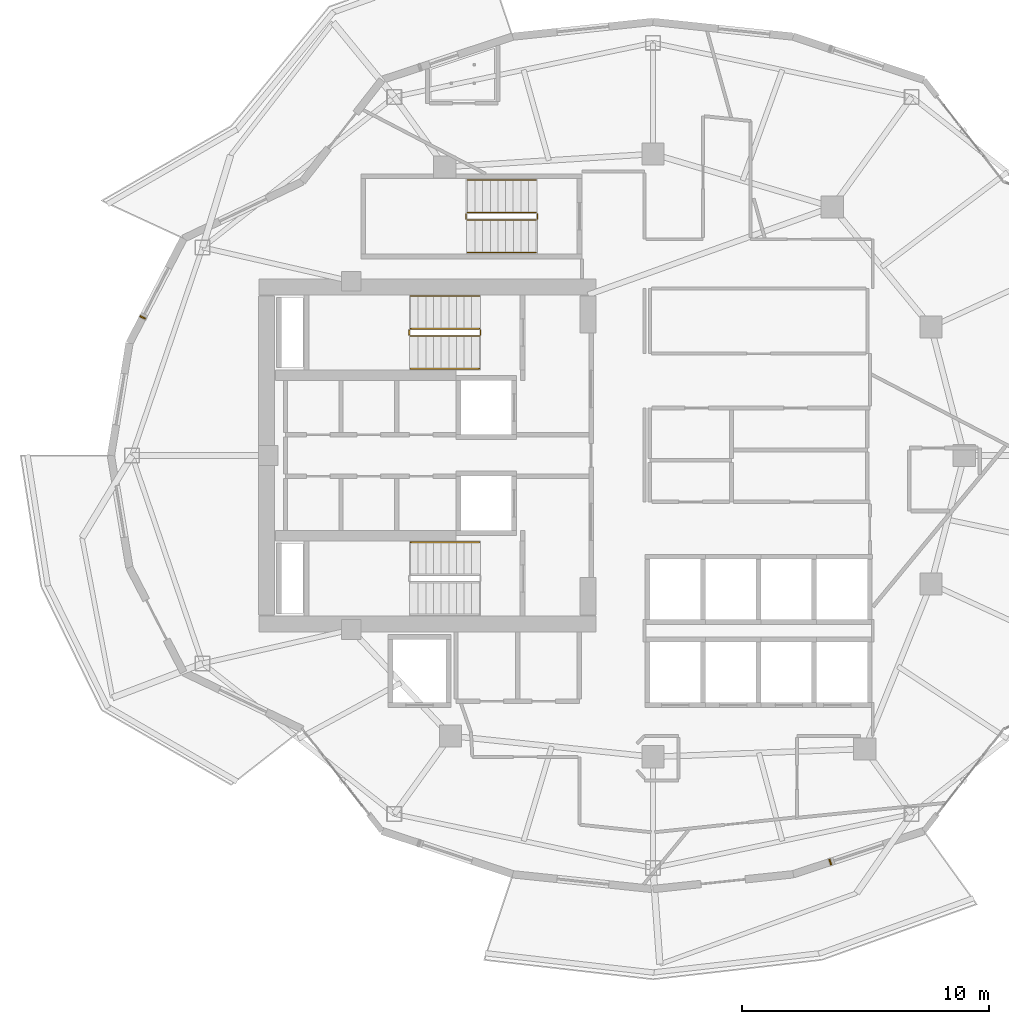
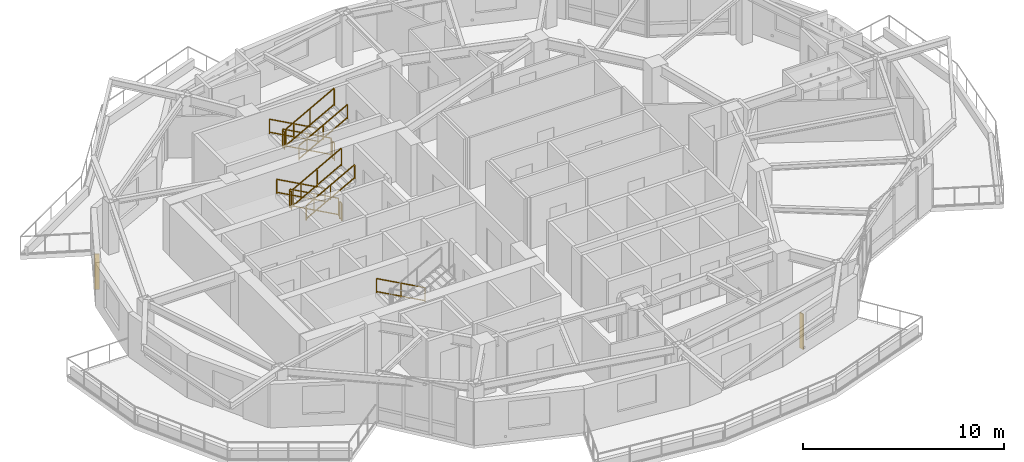
# One storey, part 17 of 19: 13 railings, 2 shading devices.
"""IFC4 building model written with IfcOpenShell, lengths in metres."""

from ifc_helpers import new_model, si_unit, direction, frame, origin, origin_2d, place, context, subcontext, project, spatial, rectangle, extrude, material, type_object, element, save


model = new_model("IFC4")

# Units and contexts
model_context = context("Model", 3, precision=1e-05, world=origin(), true_north=direction((0.0, 1.0)))
body_context = subcontext(model_context, "Body", "Model", "MODEL_VIEW")
ifc_project = project(units=[si_unit("LENGTHUNIT", "METRE"), si_unit("AREAUNIT", "SQUARE_METRE"), si_unit("VOLUMEUNIT", "CUBIC_METRE"), si_unit("PLANEANGLEUNIT", "RADIAN"), si_unit("MASSUNIT", "GRAM", prefix="KILO")], contexts=[model_context])

# Site, building, storey
site_placement = place(None, origin())
site = spatial("IfcSite", under=ifc_project, at=site_placement, CompositionType="ELEMENT")
building_placement = place(site_placement, origin())
building = spatial("IfcBuilding", under=site, at=building_placement, Name="Kolvaren Gate Tower and Convention Centre", CompositionType="ELEMENT")
storey_placement = place(building_placement, frame((0.0, 0.0, 169.89990234375)))
storey = spatial("IfcBuildingStorey", under=building, at=storey_placement, Name="L44", CompositionType="ELEMENT", Elevation=169.89990234375)

# Railings
ifc_material_1 = material(Name="Brushed Stainless Steel Grade 316L", Category="steel")
railing_type_1 = type_object("IfcRailingType", Name="ARCH-RL-GUARD-1150", PredefinedType="GUARDRAIL", material=ifc_material_1)
railing_1_placement = place(storey_placement, frame((23.10009765625, 32.1298828125, 0.170166015625)))
element("IfcRailing", 1, at=railing_1_placement, inside=storey, type_object=railing_type_1, Name="L44 ST-T1 stair guard 1", PredefinedType="GUARDRAIL", context=body_context, shape_type="SweptSolid", body=[
    extrude(rectangle(XDim=0.048095703125, YDim=0.048095703125, at=origin_2d()), frame((0.0, 0.0, 1.076171875), z_axis=(-0.876811365212, 0.0, 0.480834513982), x_axis=(0.0, -1.0, 0.0)), (0.0, 0.0, 1.0), 3.18212890625),
    extrude(rectangle(XDim=0.048095703125, YDim=0.048095703125, at=origin_2d()), frame((0.0, 0.0, 0.083984375), z_axis=(-0.876811365212, 0.0, 0.480834513982), x_axis=(0.0, -1.0, 0.0)), (0.0, 0.0, 1.0), 3.18212890625),
    extrude(rectangle(XDim=0.0419921875, YDim=0.0419921875, at=origin_2d()), origin(), (0.0, 0.0, 1.0), 1.050048828125),
    extrude(rectangle(XDim=0.0419921875, YDim=0.0419921875, at=origin_2d()), frame((-2.7900390625, 0.0, 1.530029296875)), (0.0, 0.0, 1.0), 1.050048828125),
    extrude(rectangle(XDim=0.0419921875, YDim=0.0419921875, at=origin_2d()), frame((-1.39501953125, 0.0, 0.76513671875)), (0.0, 0.0, 1.0), 1.050048828125),
])
railing_2_placement = place(storey_placement, frame((20.260009765625, 32.080078125, 1.7001953125)))
element("IfcRailing", 2, at=railing_2_placement, inside=storey, type_object=railing_type_1, Name="L44 ST-T1 stair guard 2", PredefinedType="GUARDRAIL", context=body_context, shape_type="SweptSolid", body=[
    extrude(rectangle(XDim=0.048095703125, YDim=0.048095703125, at=origin_2d()), frame((0.0, 0.0, 1.076171875), z_axis=(0.0, -1.0, 0.0), x_axis=(1.0, 0.0, 0.0)), (0.0, 0.0, 1.0), 0.2001953125),
    extrude(rectangle(XDim=0.048095703125, YDim=0.048095703125, at=origin_2d()), frame((0.0, 0.0, 0.083984375), z_axis=(0.0, -1.0, 0.0), x_axis=(1.0, 0.0, 0.0)), (0.0, 0.0, 1.0), 0.2001953125),
    extrude(rectangle(XDim=0.0419921875, YDim=0.0419921875, at=origin_2d()), origin(), (0.0, 0.0, 1.0), 1.050048828125),
    extrude(rectangle(XDim=0.0419921875, YDim=0.0419921875, at=origin_2d()), frame((0.0, -0.2001953125, 0.0)), (0.0, 0.0, 1.0), 1.050048828125),
])
railing_3_placement = place(storey_placement, frame((20.31005859375, 31.830078125, 1.8701171875)))
element("IfcRailing", 3, at=railing_3_placement, inside=storey, type_object=railing_type_1, Name="L44 ST-T1 stair guard 3", PredefinedType="GUARDRAIL", context=body_context, shape_type="SweptSolid", body=[
    extrude(rectangle(XDim=0.048095703125, YDim=0.048095703125, at=origin_2d()), frame((0.0, 0.0, 1.076171875), z_axis=(0.876811365212, 0.0, 0.480834513982), x_axis=(0.0, 1.0, 0.0)), (0.0, 0.0, 1.0), 3.18212890625),
    extrude(rectangle(XDim=0.048095703125, YDim=0.048095703125, at=origin_2d()), frame((0.0, 0.0, 0.083984375), z_axis=(0.876811365212, 0.0, 0.480834513982), x_axis=(0.0, 1.0, 0.0)), (0.0, 0.0, 1.0), 3.18212890625),
    extrude(rectangle(XDim=0.0419921875, YDim=0.0419921875, at=origin_2d()), origin(), (0.0, 0.0, 1.0), 1.050048828125),
    extrude(rectangle(XDim=0.0419921875, YDim=0.0419921875, at=origin_2d()), frame((2.7900390625, 0.0, 1.530029296875)), (0.0, 0.0, 1.0), 1.050048828125),
    extrude(rectangle(XDim=0.0419921875, YDim=0.0419921875, at=origin_2d()), frame((1.39501953125, 0.0, 0.76513671875)), (0.0, 0.0, 1.0), 1.050048828125),
])
railing_4_placement = place(storey_placement, frame((23.14990234375, 32.080078125, 0.0)))
element("IfcRailing", 4, at=railing_4_placement, inside=storey, type_object=railing_type_1, Name="L44 ST-T1 stair guard 4", PredefinedType="GUARDRAIL", context=body_context, shape_type="SweptSolid", body=[
    extrude(rectangle(XDim=0.048095703125, YDim=0.048095703125, at=origin_2d()), frame((0.0, 0.0, 1.076171875), z_axis=(0.0, -1.0, 0.0), x_axis=(1.0, 0.0, 0.0)), (0.0, 0.0, 1.0), 0.2001953125),
    extrude(rectangle(XDim=0.048095703125, YDim=0.048095703125, at=origin_2d()), frame((0.0, 0.0, 0.083984375), z_axis=(0.0, -1.0, 0.0), x_axis=(1.0, 0.0, 0.0)), (0.0, 0.0, 1.0), 0.2001953125),
    extrude(rectangle(XDim=0.0419921875, YDim=0.0419921875, at=origin_2d()), origin(), (0.0, 0.0, 1.0), 1.050048828125),
    extrude(rectangle(XDim=0.0419921875, YDim=0.0419921875, at=origin_2d()), frame((0.0, -0.2001953125, 0.0)), (0.0, 0.0, 1.0), 1.050048828125),
])
railing_5_placement = place(storey_placement, frame((25.39990234375, 36.830078125, 0.170166015625)))
element("IfcRailing", 5, at=railing_5_placement, inside=storey, type_object=railing_type_1, Name="L44 ST-T3 stair guard 1", PredefinedType="GUARDRAIL", context=body_context, shape_type="SweptSolid", body=[
    extrude(rectangle(XDim=0.048095703125, YDim=0.048095703125, at=origin_2d()), frame((0.0, 0.0, 1.076171875), z_axis=(-0.8767936245, 0.0, 0.480866863109), x_axis=(0.0, -1.0, 0.0)), (0.0, 0.0, 1.0), 3.181884765625),
    extrude(rectangle(XDim=0.048095703125, YDim=0.048095703125, at=origin_2d()), frame((0.0, 0.0, 0.083984375), z_axis=(-0.8767936245, 0.0, 0.480866863109), x_axis=(0.0, -1.0, 0.0)), (0.0, 0.0, 1.0), 3.181884765625),
    extrude(rectangle(XDim=0.0419921875, YDim=0.0419921875, at=origin_2d()), origin(), (0.0, 0.0, 1.0), 1.050048828125),
    extrude(rectangle(XDim=0.0419921875, YDim=0.0419921875, at=origin_2d()), frame((-2.789794921875, 0.0, 1.530029296875)), (0.0, 0.0, 1.0), 1.050048828125),
    extrude(rectangle(XDim=0.0419921875, YDim=0.0419921875, at=origin_2d()), frame((-1.39501953125, 0.0, 0.76513671875)), (0.0, 0.0, 1.0), 1.050048828125),
])
railing_6_placement = place(storey_placement, frame((22.56005859375, 36.780029296875, 1.7001953125)))
element("IfcRailing", 6, at=railing_6_placement, inside=storey, type_object=railing_type_1, Name="L44 ST-T3 stair guard 2", PredefinedType="GUARDRAIL", context=body_context, shape_type="SweptSolid", body=[
    extrude(rectangle(XDim=0.048095703125, YDim=0.048095703125, at=origin_2d()), frame((0.0, 0.0, 1.076171875), z_axis=(0.0, -1.0, 0.0), x_axis=(1.0, 0.0, 0.0)), (0.0, 0.0, 1.0), 0.199951171875),
    extrude(rectangle(XDim=0.048095703125, YDim=0.048095703125, at=origin_2d()), frame((0.0, 0.0, 0.083984375), z_axis=(0.0, -1.0, 0.0), x_axis=(1.0, 0.0, 0.0)), (0.0, 0.0, 1.0), 0.199951171875),
    extrude(rectangle(XDim=0.0419921875, YDim=0.0419921875, at=origin_2d()), origin(), (0.0, 0.0, 1.0), 1.050048828125),
    extrude(rectangle(XDim=0.0419921875, YDim=0.0419921875, at=origin_2d()), frame((0.0, -0.199951171875, 0.0)), (0.0, 0.0, 1.0), 1.050048828125),
])
railing_7_placement = place(storey_placement, frame((22.610107421875, 36.530029296875, 1.8701171875)))
element("IfcRailing", 7, at=railing_7_placement, inside=storey, type_object=railing_type_1, Name="L44 ST-T3 stair guard 3", PredefinedType="GUARDRAIL", context=body_context, shape_type="SweptSolid", body=[
    extrude(rectangle(XDim=0.048095703125, YDim=0.048095703125, at=origin_2d()), frame((0.0, 0.0, 1.076171875), z_axis=(0.8767936245, 0.0, 0.480866863109), x_axis=(0.0, 1.0, 0.0)), (0.0, 0.0, 1.0), 3.181884765625),
    extrude(rectangle(XDim=0.048095703125, YDim=0.048095703125, at=origin_2d()), frame((0.0, 0.0, 0.083984375), z_axis=(0.8767936245, 0.0, 0.480866863109), x_axis=(0.0, 1.0, 0.0)), (0.0, 0.0, 1.0), 3.181884765625),
    extrude(rectangle(XDim=0.0419921875, YDim=0.0419921875, at=origin_2d()), origin(), (0.0, 0.0, 1.0), 1.050048828125),
    extrude(rectangle(XDim=0.0419921875, YDim=0.0419921875, at=origin_2d()), frame((2.789794921875, 0.0, 1.530029296875)), (0.0, 0.0, 1.0), 1.050048828125),
    extrude(rectangle(XDim=0.0419921875, YDim=0.0419921875, at=origin_2d()), frame((1.39501953125, 0.0, 0.76513671875)), (0.0, 0.0, 1.0), 1.050048828125),
])
railing_8_placement = place(storey_placement, frame((25.449951171875, 36.780029296875, 0.0)))
element("IfcRailing", 8, at=railing_8_placement, inside=storey, type_object=railing_type_1, Name="L44 ST-T3 stair guard 4", PredefinedType="GUARDRAIL", context=body_context, shape_type="SweptSolid", body=[
    extrude(rectangle(XDim=0.048095703125, YDim=0.048095703125, at=origin_2d()), frame((0.0, 0.0, 1.076171875), z_axis=(0.0, -1.0, 0.0), x_axis=(1.0, 0.0, 0.0)), (0.0, 0.0, 1.0), 0.199951171875),
    extrude(rectangle(XDim=0.048095703125, YDim=0.048095703125, at=origin_2d()), frame((0.0, 0.0, 0.083984375), z_axis=(0.0, -1.0, 0.0), x_axis=(1.0, 0.0, 0.0)), (0.0, 0.0, 1.0), 0.199951171875),
    extrude(rectangle(XDim=0.0419921875, YDim=0.0419921875, at=origin_2d()), origin(), (0.0, 0.0, 1.0), 1.050048828125),
    extrude(rectangle(XDim=0.0419921875, YDim=0.0419921875, at=origin_2d()), frame((0.0, -0.199951171875, 0.0)), (0.0, 0.0, 1.0), 1.050048828125),
])
railing_type_2 = type_object("IfcRailingType", Name="ARCH-RL-HANDRAIL-920", PredefinedType="HANDRAIL", material=ifc_material_1)
railing_9_placement = place(storey_placement, frame((23.10009765625, 33.449951171875, 0.170166015625)))
element("IfcRailing", 9, at=railing_9_placement, inside=storey, type_object=railing_type_2, Name="L44 ST-T1 stair handrail 1", PredefinedType="HANDRAIL", context=body_context, shape_type="SweptSolid", body=[
    extrude(rectangle(XDim=0.048095703125, YDim=0.048095703125, at=origin_2d()), frame((0.0, 0.0, 0.8759765625), z_axis=(-0.876811365212, 0.0, 0.480834513982), x_axis=(0.0, -1.0, 0.0)), (0.0, 0.0, 1.0), 3.18212890625),
    extrude(rectangle(XDim=0.048095703125, YDim=0.048095703125, at=origin_2d()), frame((0.0, 0.0, 0.083984375), z_axis=(-0.876811365212, 0.0, 0.480834513982), x_axis=(0.0, -1.0, 0.0)), (0.0, 0.0, 1.0), 3.18212890625),
    extrude(rectangle(XDim=0.0419921875, YDim=0.0419921875, at=origin_2d()), origin(), (0.0, 0.0, 1.0), 0.849853515625),
    extrude(rectangle(XDim=0.0419921875, YDim=0.0419921875, at=origin_2d()), frame((-2.7900390625, 0.0, 1.530029296875)), (0.0, 0.0, 1.0), 0.849853515625),
    extrude(rectangle(XDim=0.0419921875, YDim=0.0419921875, at=origin_2d()), frame((-1.39501953125, 0.0, 0.76513671875)), (0.0, 0.0, 1.0), 0.849853515625),
])
railing_10_placement = place(storey_placement, frame((20.31005859375, 30.510009765625, 1.8701171875)))
element("IfcRailing", 10, at=railing_10_placement, inside=storey, type_object=railing_type_2, Name="L44 ST-T1 stair handrail 2", PredefinedType="HANDRAIL", context=body_context, shape_type="SweptSolid", body=[
    extrude(rectangle(XDim=0.048095703125, YDim=0.048095703125, at=origin_2d()), frame((0.0, 0.0, 0.8759765625), z_axis=(0.876811365212, 0.0, 0.480834513982), x_axis=(0.0, 1.0, 0.0)), (0.0, 0.0, 1.0), 3.18212890625),
    extrude(rectangle(XDim=0.048095703125, YDim=0.048095703125, at=origin_2d()), frame((0.0, 0.0, 0.083984375), z_axis=(0.876811365212, 0.0, 0.480834513982), x_axis=(0.0, 1.0, 0.0)), (0.0, 0.0, 1.0), 3.18212890625),
    extrude(rectangle(XDim=0.0419921875, YDim=0.0419921875, at=origin_2d()), origin(), (0.0, 0.0, 1.0), 0.849853515625),
    extrude(rectangle(XDim=0.0419921875, YDim=0.0419921875, at=origin_2d()), frame((2.7900390625, 0.0, 1.530029296875)), (0.0, 0.0, 1.0), 0.849853515625),
    extrude(rectangle(XDim=0.0419921875, YDim=0.0419921875, at=origin_2d()), frame((1.39501953125, 0.0, 0.76513671875)), (0.0, 0.0, 1.0), 0.849853515625),
])
railing_11_placement = place(storey_placement, frame((23.10009765625, 23.489990234375, 0.170166015625)))
element("IfcRailing", 11, at=railing_11_placement, inside=storey, type_object=railing_type_2, Name="L44 ST-T2 stair handrail 1", PredefinedType="HANDRAIL", context=body_context, shape_type="SweptSolid", body=[
    extrude(rectangle(XDim=0.048095703125, YDim=0.048095703125, at=origin_2d()), frame((0.0, 0.0, 0.8759765625), z_axis=(-0.876811365212, 0.0, 0.480834513982), x_axis=(0.0, -1.0, 0.0)), (0.0, 0.0, 1.0), 3.18212890625),
    extrude(rectangle(XDim=0.048095703125, YDim=0.048095703125, at=origin_2d()), frame((0.0, 0.0, 0.083984375), z_axis=(-0.876811365212, 0.0, 0.480834513982), x_axis=(0.0, -1.0, 0.0)), (0.0, 0.0, 1.0), 3.18212890625),
    extrude(rectangle(XDim=0.0419921875, YDim=0.0419921875, at=origin_2d()), origin(), (0.0, 0.0, 1.0), 0.849853515625),
    extrude(rectangle(XDim=0.0419921875, YDim=0.0419921875, at=origin_2d()), frame((-2.7900390625, 0.0, 1.530029296875)), (0.0, 0.0, 1.0), 0.849853515625),
    extrude(rectangle(XDim=0.0419921875, YDim=0.0419921875, at=origin_2d()), frame((-1.39501953125, 0.0, 0.76513671875)), (0.0, 0.0, 1.0), 0.849853515625),
])
railing_12_placement = place(storey_placement, frame((25.39990234375, 38.14990234375, 0.170166015625)))
element("IfcRailing", 12, at=railing_12_placement, inside=storey, type_object=railing_type_2, Name="L44 ST-T3 stair handrail 1", PredefinedType="HANDRAIL", context=body_context, shape_type="SweptSolid", body=[
    extrude(rectangle(XDim=0.048095703125, YDim=0.048095703125, at=origin_2d()), frame((0.0, 0.0, 0.8759765625), z_axis=(-0.8767936245, 0.0, 0.480866863109), x_axis=(0.0, -1.0, 0.0)), (0.0, 0.0, 1.0), 3.181884765625),
    extrude(rectangle(XDim=0.048095703125, YDim=0.048095703125, at=origin_2d()), frame((0.0, 0.0, 0.083984375), z_axis=(-0.8767936245, 0.0, 0.480866863109), x_axis=(0.0, -1.0, 0.0)), (0.0, 0.0, 1.0), 3.181884765625),
    extrude(rectangle(XDim=0.0419921875, YDim=0.0419921875, at=origin_2d()), origin(), (0.0, 0.0, 1.0), 0.849853515625),
    extrude(rectangle(XDim=0.0419921875, YDim=0.0419921875, at=origin_2d()), frame((-2.789794921875, 0.0, 1.530029296875)), (0.0, 0.0, 1.0), 0.849853515625),
    extrude(rectangle(XDim=0.0419921875, YDim=0.0419921875, at=origin_2d()), frame((-1.39501953125, 0.0, 0.76513671875)), (0.0, 0.0, 1.0), 0.849853515625),
])
railing_13_placement = place(storey_placement, frame((22.610107421875, 35.2099609375, 1.8701171875)))
element("IfcRailing", 13, at=railing_13_placement, inside=storey, type_object=railing_type_2, Name="L44 ST-T3 stair handrail 2", PredefinedType="HANDRAIL", context=body_context, shape_type="SweptSolid", body=[
    extrude(rectangle(XDim=0.048095703125, YDim=0.048095703125, at=origin_2d()), frame((0.0, 0.0, 0.8759765625), z_axis=(0.8767936245, 0.0, 0.480866863109), x_axis=(0.0, 1.0, 0.0)), (0.0, 0.0, 1.0), 3.181884765625),
    extrude(rectangle(XDim=0.048095703125, YDim=0.048095703125, at=origin_2d()), frame((0.0, 0.0, 0.083984375), z_axis=(0.8767936245, 0.0, 0.480866863109), x_axis=(0.0, 1.0, 0.0)), (0.0, 0.0, 1.0), 3.181884765625),
    extrude(rectangle(XDim=0.0419921875, YDim=0.0419921875, at=origin_2d()), origin(), (0.0, 0.0, 1.0), 0.849853515625),
    extrude(rectangle(XDim=0.0419921875, YDim=0.0419921875, at=origin_2d()), frame((2.789794921875, 0.0, 1.530029296875)), (0.0, 0.0, 1.0), 0.849853515625),
    extrude(rectangle(XDim=0.0419921875, YDim=0.0419921875, at=origin_2d()), frame((1.39501953125, 0.0, 0.76513671875)), (0.0, 0.0, 1.0), 0.849853515625),
])

# Shading devices
ifc_material_2 = material(Name="Kiln-Fired Bogota Terracotta Ceramic Louvre Profile", Category="masonry")
shading_device_type = type_object("IfcShadingDeviceType", Name="ARCH-SHD-FIN-180", PredefinedType="JALOUSIE", material=ifc_material_2)
for number, where, z_axis, x_axis, name in (
    (14, (9.474365234375, 32.583984375, 0.22021484375), (0.0, 0.0, 1.0), (0.459798409467, 0.888023323259, 0.0), "Ceramic Vertical Brise-Soleil Fin FN-L44-10"),
    (15, (37.2998046875, 10.544189453125, 0.22021484375), (0.0, 0.0, 1.0), (0.949239532616, 0.314554144335, 0.0), "Ceramic Vertical Brise-Soleil Fin FN-L44-19"),
):
    element("IfcShadingDevice", number, at=place(storey_placement, frame(where, z_axis=z_axis, x_axis=x_axis)), inside=storey, type_object=shading_device_type, Name=name, PredefinedType="JALOUSIE", context=body_context, shape_type="SweptSolid", body=[
        extrude(rectangle(XDim=0.06005859375, YDim=0.239990234375, at=origin_2d()), origin(), (0.0, 0.0, 1.0), 2.14990234375),
    ])

save(model, "model.ifc")
